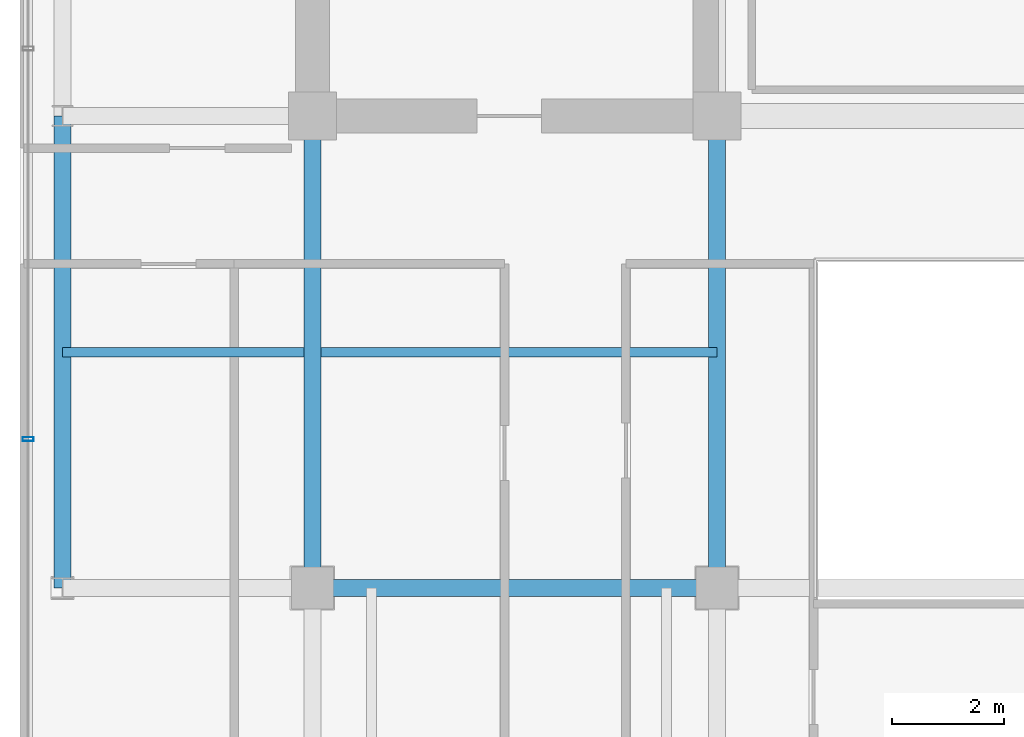
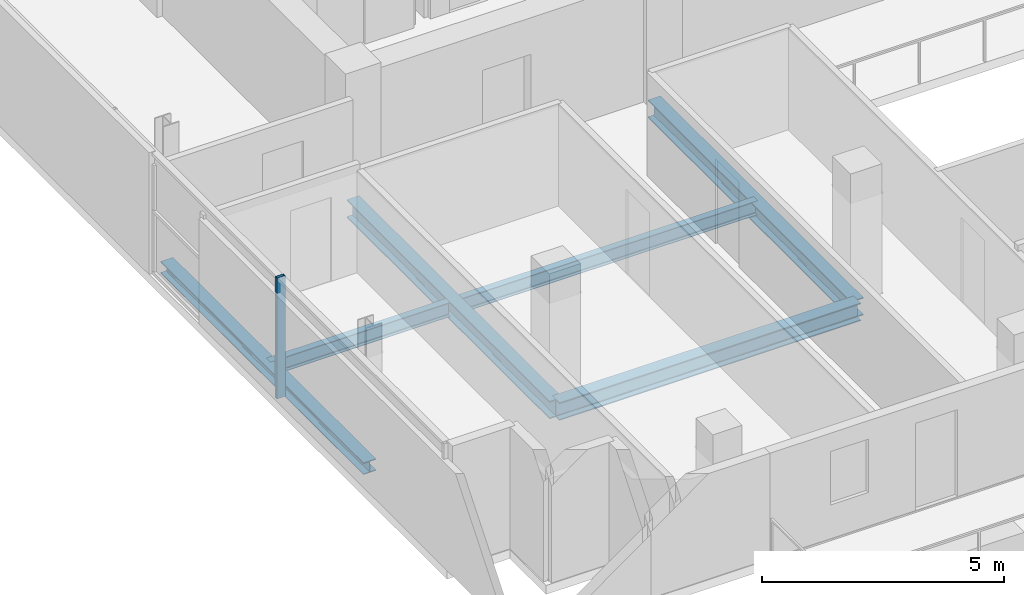
# One storey, part 4 of 22: 6 beams, 1 member, 1 element without a shape of its own.
"""IFC4 building model written with IfcOpenShell, lengths in metres."""

import ifcopenshell
import ifcopenshell.guid

model = None  # the IFC model being written
_history = None  # IfcOwnerHistory: only IFC2X3 demands one
_inside = {}  # id of a spatial element -> (the spatial element, [elements in it])
_under = {}  # id of a project, library or spatial element -> (it, [spatial elements below it])
_declared = {}  # id of a project -> (the project, [libraries it declares])
_typed = {}  # id of a type object -> (the type object, [elements of that type])
_made_of = {}  # id of a material, layer set ... -> (it, [elements and type objects made of it])


def new_model(schema):
    """Start an empty IFC model of exactly this schema.

    Asked for "IFC4X3", IfcOpenShell would pick the latest addendum, in which some entities
    have other attributes; the version numbers below select the first issue.
    IFC2X3 requires an IfcOwnerHistory on every rooted entity: one is made here for all.
    """
    global model, _history
    if schema == "IFC4X3":
        model = ifcopenshell.file(schema_version=(4, 3, 0, 0))
    else:
        model = ifcopenshell.file(schema=schema)
    _inside.clear()
    _under.clear()
    _declared.clear()
    _typed.clear()
    _made_of.clear()
    _history = None
    if model.schema == "IFC2X3":
        org = make("IfcOrganization", Name="unknown")
        user = make(
            "IfcPersonAndOrganization",
            ThePerson=make("IfcPerson", FamilyName="unknown"),
            TheOrganization=org,
        )
        app = make(
            "IfcApplication",
            ApplicationDeveloper=org,
            Version="unknown",
            ApplicationFullName="unknown",
            ApplicationIdentifier="unknown",
        )
        _history = make(
            "IfcOwnerHistory",
            OwningUser=user,
            OwningApplication=app,
            ChangeAction="ADDED",
            CreationDate=0,
        )
    return model


def make(cls, **values):
    """One entity of the class cls with the attributes given. An attribute that is None is left unset."""
    return model.create_entity(
        cls, **{name: value for name, value in values.items() if value is not None}
    )


def rooted(cls, **values):
    """An entity with a GlobalId (a new one), such as an element, a storey or a relation."""
    return make(cls, GlobalId=ifcopenshell.guid.new(), OwnerHistory=_history, **values)


def si_unit(unit_type, name, prefix=None):
    """IfcSIUnit, for example si_unit("LENGTHUNIT", "METRE", prefix="MILLI")."""
    return make("IfcSIUnit", UnitType=unit_type, Prefix=prefix, Name=name)


def assignment(units):
    """IfcUnitAssignment: the units of a project."""
    return None if units is None else make("IfcUnitAssignment", Units=units)


def point(xyz):
    """IfcCartesianPoint."""
    return None if xyz is None else make("IfcCartesianPoint", Coordinates=xyz)


def direction(xyz):
    """IfcDirection."""
    return None if xyz is None else make("IfcDirection", DirectionRatios=xyz)


def frame(location, z_axis=None, x_axis=None):
    """IfcAxis2Placement3D, a coordinate frame: its origin and axes. An axis left out is left unset."""
    return make(
        "IfcAxis2Placement3D",
        Location=point(location),
        Axis=direction(z_axis),
        RefDirection=direction(x_axis),
    )


def frame_2d(location, x_axis=None):
    """IfcAxis2Placement2D, a coordinate frame in the plane: its origin and x axis."""
    return make(
        "IfcAxis2Placement2D", Location=point(location), RefDirection=direction(x_axis)
    )


def origin():
    """The frame at (0, 0, 0) with its axes left unset."""
    return frame((0.0, 0.0, 0.0))


def origin_2d():
    """The frame at (0, 0) in the plane with its x axis left unset."""
    return frame_2d((0.0, 0.0))


def place(relative_to, where):
    """IfcLocalPlacement: puts the frame where relative to a parent placement (None: the world)."""
    return make(
        "IfcLocalPlacement", PlacementRelTo=relative_to, RelativePlacement=where
    )


def context(
    kind, dimensions, precision=None, world=None, true_north=None, identifier=None
):
    """IfcGeometricRepresentationContext, for example the 3D "Model" context."""
    return make(
        "IfcGeometricRepresentationContext",
        ContextIdentifier=identifier,
        ContextType=kind,
        CoordinateSpaceDimension=dimensions,
        Precision=precision,
        WorldCoordinateSystem=world,
        TrueNorth=true_north,
    )


def subcontext(parent, identifier, kind, view, scale=None):
    """IfcGeometricRepresentationSubContext, for example "Body" below "Model"."""
    return make(
        "IfcGeometricRepresentationSubContext",
        ContextIdentifier=identifier,
        ContextType=kind,
        ParentContext=parent,
        TargetScale=scale,
        TargetView=view,
    )


def project(units=None, contexts=None):
    """IfcProject with its units and contexts."""
    return rooted(
        "IfcProject",
        Name="project",
        RepresentationContexts=contexts,
        UnitsInContext=assignment(units),
    )


def spatial(cls, under=None, at=None, **own):
    """A site, building, storey or space (cls), placed at a placement, below another one or the project."""
    s = rooted(cls, ObjectPlacement=at, **own)
    if under is not None:
        _under.setdefault(under.id(), (under, []))[1].append(s)
    return s


def profile(cls, at=None, kind="AREA", **sizes):
    """A parametric profile (cls). Its sizes go by their IFC names, for example OverallWidth=200.0."""
    return make(cls, ProfileType=kind, Position=at, **sizes)


def hollow_rectangle(**sizes):
    """IfcRectangleHollowProfileDef."""
    return profile("IfcRectangleHollowProfileDef", **sizes)


def i_section(**sizes):
    """IfcIShapeProfileDef."""
    return profile("IfcIShapeProfileDef", **sizes)


def extrude(swept, where, along, depth):
    """IfcExtrudedAreaSolid: the profile swept, set in the frame where, extruded along a direction by depth."""
    return make(
        "IfcExtrudedAreaSolid",
        SweptArea=swept,
        Position=where,
        ExtrudedDirection=direction(along),
        Depth=depth,
    )


def shape(context_of_items, identifier, shape_type, items):
    """IfcShapeRepresentation: the items that make up one representation, for example the "Body"."""
    return make(
        "IfcShapeRepresentation",
        ContextOfItems=context_of_items,
        RepresentationIdentifier=identifier,
        RepresentationType=shape_type,
        Items=items,
    )


def source(mapping_origin, context_of_items, identifier, shape_type, items):
    """IfcRepresentationMap: a shape defined once, which mapped items show again and again."""
    return make(
        "IfcRepresentationMap",
        MappingOrigin=mapping_origin,
        MappedRepresentation=shape(context_of_items, identifier, shape_type, items),
    )


def transform(
    local_origin,
    x_axis=None,
    y_axis=None,
    z_axis=None,
    scale=None,
    scale2=None,
    scale3=None,
    uniform=True,
):
    """IfcCartesianTransformationOperator3D, or its non-uniform kind. x_axis, y_axis, z_axis: its Axis1, 2, 3."""
    if uniform:
        return make(
            "IfcCartesianTransformationOperator3D",
            Axis1=direction(x_axis),
            Axis2=direction(y_axis),
            LocalOrigin=point(local_origin),
            Scale=scale,
            Axis3=direction(z_axis),
        )
    return make(
        "IfcCartesianTransformationOperator3DnonUniform",
        Axis1=direction(x_axis),
        Axis2=direction(y_axis),
        LocalOrigin=point(local_origin),
        Scale=scale,
        Axis3=direction(z_axis),
        Scale2=scale2,
        Scale3=scale3,
    )


def mapped(mapping_source, mapping_target):
    """IfcMappedItem: shows the shape of a source again, moved by a transform."""
    return make(
        "IfcMappedItem", MappingSource=mapping_source, MappingTarget=mapping_target
    )


def material(Name=None, Category=None):
    """IfcMaterial."""
    return make("IfcMaterial", Name=Name, Category=Category)


def layer(
    of_material, thickness, ventilated=None, Name=None, Category=None, Priority=None
):
    """IfcMaterialLayer: one layer of a wall or slab, of a material (None: an air gap)."""
    return make(
        "IfcMaterialLayer",
        Material=of_material,
        LayerThickness=thickness,
        IsVentilated=ventilated,
        Name=Name,
        Category=Category,
        Priority=Priority,
    )


def layer_set(layers, Name=None):
    """IfcMaterialLayerSet."""
    return make("IfcMaterialLayerSet", MaterialLayers=layers, LayerSetName=Name)


def material_profile(
    of_material, cross_section, Name=None, Category=None, Priority=None
):
    """IfcMaterialProfile: a cross section and its material."""
    return make(
        "IfcMaterialProfile",
        Name=Name,
        Material=of_material,
        Profile=cross_section,
        Priority=Priority,
        Category=Category,
    )


def profile_set(profiles, Name=None, composite=None):
    """IfcMaterialProfileSet."""
    return make(
        "IfcMaterialProfileSet",
        Name=Name,
        MaterialProfiles=profiles,
        CompositeProfile=composite,
    )


def made_of(thing, what):
    """Note that an element or type object is made of a material, layer set ...; save() writes the relation."""
    if what is not None:
        _made_of.setdefault(what.id(), (what, []))[1].append(thing)
    return thing


def type_object(cls, material=None, **own):
    """A type object (cls), such as IfcWallType, which elements share."""
    return made_of(rooted(cls, **own), material)


def element(
    cls,
    number,
    at=None,
    inside=None,
    cuts=None,
    type_object=None,
    material=None,
    context=None,
    identifier="Body",
    shape_type=None,
    held_by="IfcProductDefinitionShape",
    body=None,
    shapes=None,
    **own,
):
    """One element of the class cls, such as IfcWall. Its Tag is "e" and its number.

    at: its placement. inside: the storey or other place that contains it. cuts: it is an
    opening in that element (IfcRelVoidsElement). A single representation is given by context,
    identifier, shape_type and body (its items); several are given by shapes. held_by: the class
    of the entity that holds the representations. save() writes the other relations.
    """
    e = rooted(cls, Tag="e%d" % number, ObjectPlacement=at, **own)
    if body is not None:
        shapes = [shape(context, identifier, shape_type, body)]
    if shapes is not None:
        e.Representation = make(held_by, Representations=shapes)
    if inside is not None:
        _inside.setdefault(inside.id(), (inside, []))[1].append(e)
    if cuts is not None:
        rooted(
            "IfcRelVoidsElement", RelatingBuildingElement=cuts, RelatedOpeningElement=e
        )
    if type_object is not None:
        _typed.setdefault(type_object.id(), (type_object, []))[1].append(e)
    return made_of(e, material)


def aggregate(whole, parts):
    """IfcRelAggregates: a whole, such as a stair, and the parts it consists of."""
    return rooted("IfcRelAggregates", RelatingObject=whole, RelatedObjects=parts)


def save(model, path):
    """Write the relations noted so far, then the file.

    IfcRelAggregates (storeys below a building ...), IfcRelContainedInSpatialStructure (elements
    in a storey), IfcRelDefinesByType, IfcRelAssociatesMaterial and IfcRelDeclares: one each for
    every whole, place, type object, material and project.
    """
    for whole, parts in _under.values():
        aggregate(whole, parts)
    for where, things in _inside.values():
        rooted(
            "IfcRelContainedInSpatialStructure",
            RelatedElements=things,
            RelatingStructure=where,
        )
    for kind, things in _typed.values():
        rooted("IfcRelDefinesByType", RelatedObjects=things, RelatingType=kind)
    for what, things in _made_of.values():
        rooted("IfcRelAssociatesMaterial", RelatedObjects=things, RelatingMaterial=what)
    for by, libraries in _declared.values():
        rooted("IfcRelDeclares", RelatingContext=by, RelatedDefinitions=libraries)
    model.write(path)


model = new_model("IFC4")

# Units and contexts
model_context = context("Model", 3, precision=1e-05, world=origin(), true_north=direction((0.0, 1.0)))
body_context = subcontext(model_context, "Body", "Model", "MODEL_VIEW")
ifc_project = project(units=[si_unit("LENGTHUNIT", "METRE"), si_unit("AREAUNIT", "SQUARE_METRE"), si_unit("VOLUMEUNIT", "CUBIC_METRE"), si_unit("PLANEANGLEUNIT", "RADIAN"), si_unit("MASSUNIT", "GRAM", prefix="KILO")], contexts=[model_context])

# Site, building, storey
site_placement = place(None, origin())
site = spatial("IfcSite", under=ifc_project, at=site_placement, CompositionType="ELEMENT")
building_placement = place(site_placement, origin())
building = spatial("IfcBuilding", under=site, at=building_placement, Name="Zarnakvel Exchange Tower", CompositionType="ELEMENT")
storey_placement = place(building_placement, frame((0.0, 0.0, 238.60009765625)))
storey = spatial("IfcBuildingStorey", under=building, at=storey_placement, Name="L67", CompositionType="ELEMENT", Elevation=238.60009765625)

# Beams
ifc_material_1 = material(Name="Steel S355", Category="steel")
ifc_material_profile_1 = material_profile(ifc_material_1, i_section(OverallWidth=0.169921875, OverallDepth=0.360107421875, WebThickness=0.008056640625, FlangeThickness=0.0126953125, FilletRadius=0.01806640625, at=origin_2d()))
ifc_profile_set_1 = profile_set([ifc_material_profile_1], Name="Steel S355")
beam_type_1 = type_object("IfcBeamType", Name="B-07", PredefinedType="JOIST", material=ifc_profile_set_1)
beam_1_placement = place(storey_placement, frame((-18.85009765625, -5.39990234375, -0.405029296875), z_axis=(1.0, 0.0, 0.0), x_axis=(0.0, 1.0, 0.0)))
element("IfcBeam", 1, at=beam_1_placement, inside=storey, type_object=beam_type_1, Name="L67 Composite Floor Secondary Joist", PredefinedType="JOIST", context=body_context, shape_type="SweptSolid", body=[
    extrude(i_section(OverallWidth=0.169921875, OverallDepth=0.360107421875, WebThickness=0.008056640625, FlangeThickness=0.0126953125, FilletRadius=0.01806640625, at=origin_2d()), origin(), (0.0, 0.0, 1.0), 4.300048828125),
])
beam_2_placement = place(storey_placement, frame((-14.25, -5.39990234375, -0.405029296875), z_axis=(1.0, 0.0, 0.0), x_axis=(0.0, 1.0, 0.0)))
element("IfcBeam", 2, at=beam_2_placement, inside=storey, type_object=beam_type_1, Name="L67 Composite Floor Secondary Joist", PredefinedType="JOIST", context=body_context, shape_type="SweptSolid", body=[
    extrude(i_section(OverallWidth=0.169921875, OverallDepth=0.360107421875, WebThickness=0.008056640625, FlangeThickness=0.0126953125, FilletRadius=0.01806640625, at=origin_2d()), origin(), (0.0, 0.0, 1.0), 7.050048828125),
])
ifc_material_profile_2 = material_profile(ifc_material_1, i_section(OverallWidth=0.300048828125, OverallDepth=0.449951171875, WebThickness=0.013916015625, FlangeThickness=0.02587890625, FilletRadius=0.027099609375, at=origin_2d()))
ifc_profile_set_2 = profile_set([ifc_material_profile_2], Name="Steel S355")
beam_type_2 = type_object("IfcBeamType", Name="G-07", PredefinedType="BEAM", material=ifc_profile_set_2)
beam_3_placement = place(storey_placement, frame((-14.39990234375, -9.60009765625, -0.4501953125), z_axis=(1.0, 0.0, 0.0), x_axis=(0.0, 1.0, 0.0)))
element("IfcBeam", 3, at=beam_3_placement, inside=storey, type_object=beam_type_2, Name="L67 Tower E-W Frame Beam", PredefinedType="BEAM", context=body_context, shape_type="SweptSolid", body=[
    extrude(i_section(OverallWidth=0.300048828125, OverallDepth=0.449951171875, WebThickness=0.013916015625, FlangeThickness=0.02587890625, FilletRadius=0.027099609375, at=origin_2d()), origin(), (0.0, 0.0, 1.0), 7.199951171875),
])
for number, where, z_axis, x_axis, name in (
    (4, (-14.39990234375, -9.60009765625, -0.4501953125), (0.0, 1.0, 0.0), (-1.0, 0.0, 0.0), "L67 Tower N-S Frame Beam"),
    (5, (-7.199951171875, -9.60009765625, -0.4501953125), (0.0, 1.0, 0.0), (-1.0, 0.0, 0.0), "L67 Tower N-S Frame Beam"),
):
    element("IfcBeam", number, at=place(storey_placement, frame(where, z_axis=z_axis, x_axis=x_axis)), inside=storey, type_object=beam_type_2, Name=name, PredefinedType="BEAM", context=body_context, shape_type="SweptSolid", body=[
        extrude(i_section(OverallWidth=0.300048828125, OverallDepth=0.449951171875, WebThickness=0.013916015625, FlangeThickness=0.02587890625, FilletRadius=0.027099609375, at=origin_2d()), origin(), (0.0, 0.0, 1.0), 8.400146484375),
    ])
ifc_material_profile_3 = material_profile(ifc_material_1, i_section(OverallWidth=0.300048828125, OverallDepth=0.300048828125, WebThickness=0.010986328125, FlangeThickness=0.01904296875, FilletRadius=0.027099609375, at=origin_2d()))
ifc_profile_set_3 = profile_set([ifc_material_profile_3], Name="Steel S355")
beam_type_3 = type_object("IfcBeamType", Name="SP-03", PredefinedType="SPANDREL", material=ifc_profile_set_3)
beam_4_placement = place(storey_placement, frame((-18.85009765625, -9.60009765625, -0.375), z_axis=(0.0, 1.0, 0.0), x_axis=(-1.0, 0.0, 0.0)))
element("IfcBeam", 6, at=beam_4_placement, inside=storey, type_object=beam_type_3, Name="L67 Tower N-S Frame Beam", PredefinedType="SPANDREL", context=body_context, shape_type="SweptSolid", body=[
    extrude(i_section(OverallWidth=0.300048828125, OverallDepth=0.300048828125, WebThickness=0.010986328125, FlangeThickness=0.01904296875, FilletRadius=0.027099609375, at=origin_2d()), origin(), (0.0, 0.0, 1.0), 8.400146484375),
])

# Curtain wall, member
ifc_material_2 = material(Name="Architectural Bronze Anodised Aluminium", Category="aluminium")
ifc_layer = layer(ifc_material_2, 0.199951171875)
ifc_layer_set = layer_set([ifc_layer], Name="Architectural Bronze Anodised Aluminium")
curtain_wall_type = type_object("IfcCurtainWallType", Name="CW-04", PredefinedType="NOTDEFINED", material=ifc_layer_set)
curtain_wall_placement = place(storey_placement, origin())
curtain_wall = element("IfcCurtainWall", 7, at=curtain_wall_placement, inside=storey, type_object=curtain_wall_type, Name="L67 Curtain Wall CW-L67-W1 (CW-04)", PredefinedType="NOTDEFINED")
ifc_material_profile_4 = material_profile(ifc_material_2, hollow_rectangle(XDim=0.199951171875, YDim=0.074951171875, WallThickness=0.0048828125, at=origin_2d()))
ifc_profile_set_4 = profile_set([ifc_material_profile_4], Name="Architectural Bronze Anodised Aluminium")
member_type = type_object("IfcMemberType", Name="CWM-04", PredefinedType="MULLION", material=ifc_profile_set_4)
shared_shape = source(origin(), body_context, "Body", "SweptSolid", [
    extrude(hollow_rectangle(XDim=0.199951171875, YDim=0.074951171875, WallThickness=0.0048828125, at=origin_2d()), origin(), (0.0, 0.0, 1.0), 3.054931640625),
])
member_placement = place(storey_placement, frame((-19.4599609375, -6.949951171875, 0.0), z_axis=(0.0, 0.0, 1.0), x_axis=(-1.0, 0.0, 0.0)))
member = element("IfcMember", 8, at=member_placement, type_object=member_type, Name="CW-04 mullion 2", PredefinedType="MULLION", context=body_context, shape_type="MappedRepresentation", body=[
    mapped(shared_shape, transform((0.0, 0.0, 0.0), x_axis=(1.0, 0.0, 0.0), y_axis=(0.0, 1.0, 0.0), z_axis=(0.0, 0.0, 1.0), scale=1.0)),
])
aggregate(curtain_wall, [member])

save(model, "model.ifc")
